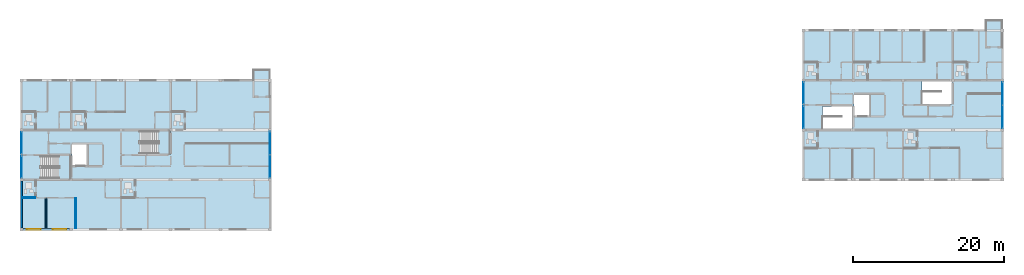
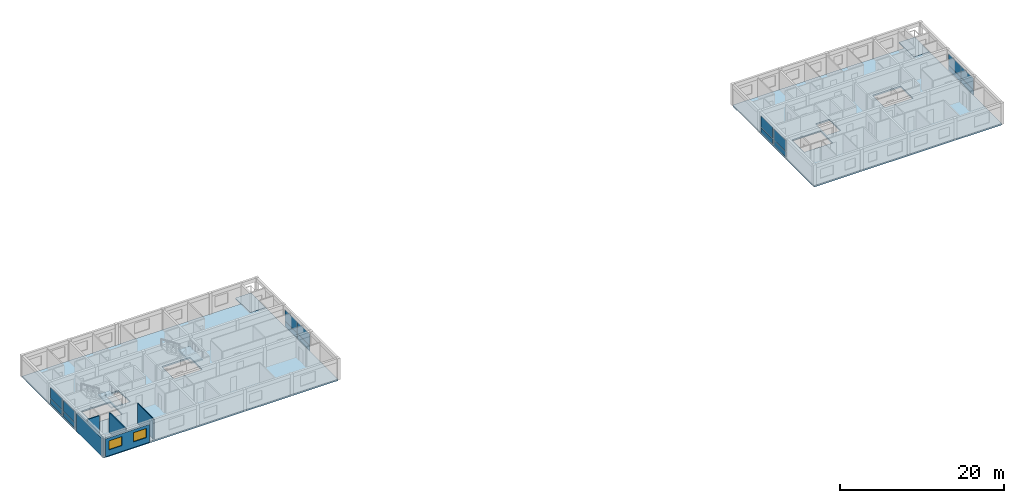
# One storey, part 12 of 23: 16 plates, 6 slabs, 5 walls, 2 windows, 2 openings, 8 elements without a shape of their own.
"""IFC4 building model written with IfcOpenShell, lengths in metres."""

from ifc_helpers import new_model, si_unit, direction, frame, frame_2d, origin, origin_2d, place, context, subcontext, project, spatial, polyline, rectangle, outline, extrude, material, layer, layer_set, type_object, element, fill, aggregate, save


model = new_model("IFC4")

# Units and contexts
model_context = context("Model", 3, precision=1e-05, world=origin(), true_north=direction((0.0, 1.0)))
body_context = subcontext(model_context, "Body", "Model", "MODEL_VIEW")
ifc_project = project(units=[si_unit("LENGTHUNIT", "METRE"), si_unit("AREAUNIT", "SQUARE_METRE"), si_unit("VOLUMEUNIT", "CUBIC_METRE"), si_unit("PLANEANGLEUNIT", "RADIAN"), si_unit("MASSUNIT", "GRAM", prefix="KILO")], contexts=[model_context])

# Site, building, storey
site_placement = place(None, origin())
site = spatial("IfcSite", under=ifc_project, at=site_placement, CompositionType="ELEMENT")
building_placement = place(site_placement, origin())
building = spatial("IfcBuilding", under=site, at=building_placement, Name="Kernevlak Ridge Housing Community", CompositionType="ELEMENT")
storey_placement = place(building_placement, frame((0.0, 0.0, 46.800048828125)))
storey = spatial("IfcBuildingStorey", under=building, at=storey_placement, Name="L14", CompositionType="ELEMENT", Elevation=46.800048828125)

# Curtain wall, plate
ifc_material_1 = material(Name="Aluminium EN AW-6060 anodised and laminated glass", Category="aluminium")
curtain_wall_type_1 = type_object("IfcCurtainWallType", Name="CW-01", PredefinedType="NOTDEFINED", material=ifc_material_1)
curtain_wall_1_placement = place(storey_placement, origin())
curtain_wall_1 = element("IfcCurtainWall", 1, at=curtain_wall_1_placement, inside=storey, type_object=curtain_wall_type_1, Name="Curtain wall CW-01 CW-L14-043", PredefinedType="NOTDEFINED")
ifc_material_2 = material(Name="Aluminium EN AW-5005 enamelled panel", Category="aluminium")
ifc_layer_1 = layer(ifc_material_2, 0.033935546875, Name="Aluminium EN AW-5005 enamelled panel")
ifc_layer_set_1 = layer_set([ifc_layer_1], Name="Aluminium EN AW-5005 enamelled panel")
plate_type_1 = type_object("IfcPlateType", Name="CP-03", PredefinedType="CURTAIN_PANEL", material=ifc_layer_set_1)
plate_1_placement = place(storey_placement, frame((15.60009765625, 84.294921875, 0.06005859375), z_axis=(0.0, 0.0, 1.0), x_axis=(0.0, 1.0, 0.0)))
plate_1 = element("IfcPlate", 2, at=plate_1_placement, type_object=plate_type_1, Name="CW-01 panel 1.1", PredefinedType="CURTAIN_PANEL", context=body_context, shape_type="SweptSolid", body=[
    extrude(rectangle(XDim=2.8701171875, YDim=0.033935546875, at=origin_2d()), origin(), (0.0, 0.0, 1.0), 0.760009765625),
])

curtain_wall_type_2 = type_object("IfcCurtainWallType", Name="CW-06", PredefinedType="NOTDEFINED", material=ifc_material_1)
curtain_wall_2_placement = place(storey_placement, origin())
curtain_wall_2 = element("IfcCurtainWall", 3, at=curtain_wall_2_placement, inside=storey, type_object=curtain_wall_type_2, Name="Curtain wall CW-06 CW-L14-044", PredefinedType="NOTDEFINED")
ifc_layer_2 = layer(ifc_material_2, 0.0380859375, Name="Aluminium EN AW-5005 enamelled panel")
ifc_layer_set_2 = layer_set([ifc_layer_2], Name="Aluminium EN AW-5005 enamelled panel")
plate_type_2 = type_object("IfcPlateType", Name="CP-04", PredefinedType="CURTAIN_PANEL", material=ifc_layer_set_2)
plate_2_placement = place(storey_placement, frame((15.60009765625, 87.5048828125, 0.06494140625), z_axis=(0.0, 0.0, 1.0), x_axis=(0.0, 1.0, 0.0)))
plate_2 = element("IfcPlate", 4, at=plate_2_placement, type_object=plate_type_2, Name="CW-06 panel 1.1", PredefinedType="CURTAIN_PANEL", context=body_context, shape_type="SweptSolid", body=[
    extrude(rectangle(XDim=2.860107421875, YDim=0.0380859375, at=origin_2d()), origin(), (0.0, 0.0, 1.0), 0.75244140625),
])

curtain_wall_type_3 = type_object("IfcCurtainWallType", Name="CW-04", PredefinedType="NOTDEFINED", material=ifc_material_1)
curtain_wall_3_placement = place(storey_placement, origin())
curtain_wall_3 = element("IfcCurtainWall", 5, at=curtain_wall_3_placement, inside=storey, type_object=curtain_wall_type_3, Name="Curtain wall CW-04 CW-L14-097", PredefinedType="NOTDEFINED")
plate_3_placement = place(storey_placement, frame((119.39990234375, 90.89501953125, 0.06005859375), z_axis=(0.0, 0.0, 1.0), x_axis=(0.0, 1.0, 0.0)))
plate_3 = element("IfcPlate", 6, at=plate_3_placement, type_object=plate_type_2, Name="CW-04 panel 1.1", PredefinedType="CURTAIN_PANEL", context=body_context, shape_type="SweptSolid", body=[
    extrude(rectangle(XDim=2.8701171875, YDim=0.0380859375, at=origin_2d()), origin(), (0.0, 0.0, 1.0), 0.760009765625),
])

# Curtain wall, plates
curtain_wall_type_4 = type_object("IfcCurtainWallType", Name="CW-12", PredefinedType="NOTDEFINED", material=ifc_material_1)
curtain_wall_4_placement = place(storey_placement, origin())
curtain_wall_4 = element("IfcCurtainWall", 7, at=curtain_wall_4_placement, inside=storey, type_object=curtain_wall_type_4, Name="Curtain wall CW-12 CW-L14-045", PredefinedType="NOTDEFINED")
ifc_layer_3 = layer(ifc_material_2, 0.0419921875, Name="Aluminium EN AW-5005 enamelled panel")
ifc_layer_set_3 = layer_set([ifc_layer_3], Name="Aluminium EN AW-5005 enamelled panel")
plate_type_3 = type_object("IfcPlateType", Name="CP-05", PredefinedType="CURTAIN_PANEL", material=ifc_layer_set_3)
plate_4_placement = place(storey_placement, frame((48.60009765625, 84.36376953125, 0.054931640625), z_axis=(0.0, 0.0, 1.0), x_axis=(0.0, 1.0, 0.0)))
plate_4 = element("IfcPlate", 8, at=plate_4_placement, type_object=plate_type_3, Name="CW-12 panel 1.1", PredefinedType="CURTAIN_PANEL", context=body_context, shape_type="SweptSolid", body=[
    extrude(rectangle(XDim=3.017578125, YDim=0.0419921875, at=origin_2d()), origin(), (0.0, 0.0, 1.0), 0.767578125),
])
plate_5_placement = place(storey_placement, frame((48.60009765625, 87.436279296875, 0.054931640625), z_axis=(0.0, 0.0, 1.0), x_axis=(0.0, 1.0, 0.0)))
plate_5 = element("IfcPlate", 9, at=plate_5_placement, type_object=plate_type_3, Name="CW-12 panel 2.1", PredefinedType="CURTAIN_PANEL", context=body_context, shape_type="SweptSolid", body=[
    extrude(rectangle(XDim=3.017578125, YDim=0.0419921875, at=origin_2d()), origin(), (0.0, 0.0, 1.0), 0.767578125),
])

# Curtain wall, plate
curtain_wall_type_5 = type_object("IfcCurtainWallType", Name="CW-09", PredefinedType="NOTDEFINED", material=ifc_material_1)
curtain_wall_5_placement = place(storey_placement, origin())
curtain_wall_5 = element("IfcCurtainWall", 10, at=curtain_wall_5_placement, inside=storey, type_object=curtain_wall_type_5, Name="Curtain wall CW-09 CW-L14-098", PredefinedType="NOTDEFINED")
plate_6_placement = place(storey_placement, frame((119.39990234375, 94.10498046875, 0.06494140625), z_axis=(0.0, 0.0, 1.0), x_axis=(0.0, 1.0, 0.0)))
plate_6 = element("IfcPlate", 11, at=plate_6_placement, type_object=plate_type_3, Name="CW-09 panel 1.1", PredefinedType="CURTAIN_PANEL", context=body_context, shape_type="SweptSolid", body=[
    extrude(rectangle(XDim=2.860107421875, YDim=0.0419921875, at=origin_2d()), origin(), (0.0, 0.0, 1.0), 0.75244140625),
])

# Curtain wall, plates
curtain_wall_type_6 = type_object("IfcCurtainWallType", Name="CW-14", PredefinedType="NOTDEFINED", material=ifc_material_1)
curtain_wall_6_placement = place(storey_placement, origin())
curtain_wall_6 = element("IfcCurtainWall", 12, at=curtain_wall_6_placement, inside=storey, type_object=curtain_wall_type_6, Name="Curtain wall CW-14 CW-L14-099", PredefinedType="NOTDEFINED")
ifc_material_3 = material(Name="Aluminium EN AW-5005 insulated panel", Category="aluminium")
ifc_layer_4 = layer(ifc_material_3, 0.0458984375, Name="Aluminium EN AW-5005 insulated panel")
ifc_layer_set_4 = layer_set([ifc_layer_4], Name="Aluminium EN AW-5005 insulated panel")
plate_type_4 = type_object("IfcPlateType", Name="CP-06", PredefinedType="CURTAIN_PANEL", material=ifc_layer_set_4)
plate_7_placement = place(storey_placement, frame((145.800048828125, 90.9638671875, 0.054931640625), z_axis=(0.0, 0.0, 1.0), x_axis=(0.0, 1.0, 0.0)))
plate_7 = element("IfcPlate", 13, at=plate_7_placement, type_object=plate_type_4, Name="CW-14 panel 1.1", PredefinedType="CURTAIN_PANEL", context=body_context, shape_type="SweptSolid", body=[
    extrude(rectangle(XDim=3.017578125, YDim=0.0458984375, at=origin_2d()), origin(), (0.0, 0.0, 1.0), 0.767578125),
])
plate_8_placement = place(storey_placement, frame((145.800048828125, 94.0361328125, 0.054931640625), z_axis=(0.0, 0.0, 1.0), x_axis=(0.0, 1.0, 0.0)))
plate_8 = element("IfcPlate", 14, at=plate_8_placement, type_object=plate_type_4, Name="CW-14 panel 2.1", PredefinedType="CURTAIN_PANEL", context=body_context, shape_type="SweptSolid", body=[
    extrude(rectangle(XDim=3.017578125, YDim=0.0458984375, at=origin_2d()), origin(), (0.0, 0.0, 1.0), 0.767578125),
])

# Plate
ifc_material_4 = material(Name="Low-iron clear staircase glazing panel", Category="glass")
ifc_layer_5 = layer(ifc_material_4, 0.031982421875, Name="Low-iron clear staircase glazing panel")
ifc_layer_set_5 = layer_set([ifc_layer_5], Name="Low-iron clear staircase glazing panel")
plate_type_5 = type_object("IfcPlateType", Name="CP-08", PredefinedType="CURTAIN_PANEL", material=ifc_layer_set_5)
plate_9_placement = place(storey_placement, frame((15.60009765625, 84.294921875, 0.8798828125), z_axis=(0.0, 0.0, 1.0), x_axis=(0.0, 1.0, 0.0)))
plate_9 = element("IfcPlate", 15, at=plate_9_placement, type_object=plate_type_5, Name="CW-01 panel 1.2", PredefinedType="CURTAIN_PANEL", context=body_context, shape_type="SweptSolid", body=[
    extrude(rectangle(XDim=2.8701171875, YDim=0.031982421875, at=origin_2d()), origin(), (0.0, 0.0, 1.0), 1.659912109375),
])

aggregate(curtain_wall_1, [plate_1, plate_9])

plate_10_placement = place(storey_placement, frame((15.60009765625, 87.5048828125, 0.88232421875), z_axis=(0.0, 0.0, 1.0), x_axis=(0.0, 1.0, 0.0)))
plate_10 = element("IfcPlate", 16, at=plate_10_placement, type_object=plate_type_5, Name="CW-06 panel 1.2", PredefinedType="CURTAIN_PANEL", context=body_context, shape_type="SweptSolid", body=[
    extrude(rectangle(XDim=2.860107421875, YDim=0.031982421875, at=origin_2d()), origin(), (0.0, 0.0, 1.0), 1.652587890625),
])

aggregate(curtain_wall_2, [plate_2, plate_10])

plate_11_placement = place(storey_placement, frame((48.60009765625, 84.36376953125, 0.87744140625), z_axis=(0.0, 0.0, 1.0), x_axis=(0.0, 1.0, 0.0)))
plate_11 = element("IfcPlate", 17, at=plate_11_placement, type_object=plate_type_5, Name="CW-12 panel 1.2", PredefinedType="CURTAIN_PANEL", context=body_context, shape_type="SweptSolid", body=[
    extrude(rectangle(XDim=3.017578125, YDim=0.031982421875, at=origin_2d()), origin(), (0.0, 0.0, 1.0), 1.66748046875),
])

plate_12_placement = place(storey_placement, frame((48.60009765625, 87.436279296875, 0.87744140625), z_axis=(0.0, 0.0, 1.0), x_axis=(0.0, 1.0, 0.0)))
plate_12 = element("IfcPlate", 18, at=plate_12_placement, type_object=plate_type_5, Name="CW-12 panel 2.2", PredefinedType="CURTAIN_PANEL", context=body_context, shape_type="SweptSolid", body=[
    extrude(rectangle(XDim=3.017578125, YDim=0.031982421875, at=origin_2d()), origin(), (0.0, 0.0, 1.0), 1.66748046875),
])

aggregate(curtain_wall_4, [plate_4, plate_11, plate_5, plate_12])

plate_13_placement = place(storey_placement, frame((119.39990234375, 90.89501953125, 0.8798828125), z_axis=(0.0, 0.0, 1.0), x_axis=(0.0, 1.0, 0.0)))
plate_13 = element("IfcPlate", 19, at=plate_13_placement, type_object=plate_type_5, Name="CW-04 panel 1.2", PredefinedType="CURTAIN_PANEL", context=body_context, shape_type="SweptSolid", body=[
    extrude(rectangle(XDim=2.8701171875, YDim=0.031982421875, at=origin_2d()), origin(), (0.0, 0.0, 1.0), 1.659912109375),
])

aggregate(curtain_wall_3, [plate_3, plate_13])

plate_14_placement = place(storey_placement, frame((119.39990234375, 94.10498046875, 0.88232421875), z_axis=(0.0, 0.0, 1.0), x_axis=(0.0, 1.0, 0.0)))
plate_14 = element("IfcPlate", 20, at=plate_14_placement, type_object=plate_type_5, Name="CW-09 panel 1.2", PredefinedType="CURTAIN_PANEL", context=body_context, shape_type="SweptSolid", body=[
    extrude(rectangle(XDim=2.860107421875, YDim=0.031982421875, at=origin_2d()), origin(), (0.0, 0.0, 1.0), 1.652587890625),
])

aggregate(curtain_wall_5, [plate_6, plate_14])

plate_15_placement = place(storey_placement, frame((145.800048828125, 90.9638671875, 0.87744140625), z_axis=(0.0, 0.0, 1.0), x_axis=(0.0, 1.0, 0.0)))
plate_15 = element("IfcPlate", 21, at=plate_15_placement, type_object=plate_type_5, Name="CW-14 panel 1.2", PredefinedType="CURTAIN_PANEL", context=body_context, shape_type="SweptSolid", body=[
    extrude(rectangle(XDim=3.017578125, YDim=0.031982421875, at=origin_2d()), origin(), (0.0, 0.0, 1.0), 1.66748046875),
])

plate_16_placement = place(storey_placement, frame((145.800048828125, 94.0361328125, 0.87744140625), z_axis=(0.0, 0.0, 1.0), x_axis=(0.0, 1.0, 0.0)))
plate_16 = element("IfcPlate", 22, at=plate_16_placement, type_object=plate_type_5, Name="CW-14 panel 2.2", PredefinedType="CURTAIN_PANEL", context=body_context, shape_type="SweptSolid", body=[
    extrude(rectangle(XDim=3.017578125, YDim=0.031982421875, at=origin_2d()), origin(), (0.0, 0.0, 1.0), 1.66748046875),
])

aggregate(curtain_wall_6, [plate_7, plate_15, plate_8, plate_16])

# Slabs
ifc_material_5 = material(Name="Concrete C35/45", Category="concrete")
ifc_layer_6 = layer(ifc_material_5, 0.219970703125, Name="Concrete C35/45")
ifc_layer_set_6 = layer_set([ifc_layer_6], Name="Concrete C35/45")
slab_type_1 = type_object("IfcSlabType", Name="SL-04", PredefinedType="FLOOR", material=ifc_layer_set_6)
slab_1_placement = place(storey_placement, frame((0.0, 0.0, -0.219970703125)))
element("IfcSlab", 23, at=slab_1_placement, inside=storey, type_object=slab_type_1, Name="Block A level L14 floor slab", PredefinedType="FLOOR", context=body_context, shape_type="SweptSolid", body=[
    extrude(outline(polyline([(15.60009765625, 76.0), (48.60009765625, 76.0), (48.60009765625, 93.60009765625), (46.39990234375, 93.60009765625), (46.39990234375, 95.800048828125), (15.60009765625, 95.800048828125), (15.60009765625, 76.0)]), holes=[polyline([(18.139892578125, 85.75), (22.1201171875, 85.75), (22.1201171875, 82.75), (18.139892578125, 82.75), (18.139892578125, 85.75)]), polyline([(31.340087890625, 89.050048828125), (35.320068359375, 89.050048828125), (35.320068359375, 86.050048828125), (31.340087890625, 86.050048828125), (31.340087890625, 89.050048828125)]), polyline([(22.320068359375, 87.280029296875), (24.280029296875, 87.280029296875), (24.280029296875, 84.52001953125), (22.320068359375, 84.52001953125), (22.320068359375, 87.280029296875)])]), origin(), (0.0, 0.0, 1.0), 0.219970703125),
])
slab_2_placement = place(storey_placement, frame((0.0, 0.0, -0.219970703125)))
element("IfcSlab", 24, at=slab_2_placement, inside=storey, type_object=slab_type_1, Name="Block B level L14 floor slab", PredefinedType="FLOOR", context=body_context, shape_type="SweptSolid", body=[
    extrude(outline(polyline([(119.39990234375, 82.60009765625), (145.800048828125, 82.60009765625), (145.800048828125, 100.199951171875), (143.60009765625, 100.199951171875), (143.60009765625, 102.39990234375), (119.39990234375, 102.39990234375), (119.39990234375, 82.60009765625)]), holes=[polyline([(121.93994140625, 92.35009765625), (125.919921875, 92.35009765625), (125.919921875, 89.35009765625), (121.93994140625, 89.35009765625), (121.93994140625, 92.35009765625)]), polyline([(135.139892578125, 95.64990234375), (139.1201171875, 95.64990234375), (139.1201171875, 92.64990234375), (135.139892578125, 92.64990234375), (135.139892578125, 95.64990234375)]), polyline([(126.1201171875, 93.8798828125), (128.080078125, 93.8798828125), (128.080078125, 91.1201171875), (126.1201171875, 91.1201171875), (126.1201171875, 93.8798828125)])]), origin(), (0.0, 0.0, 1.0), 0.219970703125),
])
ifc_layer_7 = layer(ifc_material_5, 0.199951171875, Name="Concrete C35/45")
ifc_layer_set_7 = layer_set([ifc_layer_7], Name="Concrete C35/45")
slab_type_2 = type_object("IfcSlabType", Name="SL-05", PredefinedType="FLOOR", material=ifc_layer_set_7)
slab_3_placement = place(storey_placement, frame((0.0, 0.0, -0.199951171875)))
element("IfcSlab", 25, at=slab_3_placement, inside=storey, type_object=slab_type_2, Name="Block A L14 corner balcony deck slab", PredefinedType="FLOOR", context=body_context, shape_type="SweptSolid", body=[
    extrude(outline(polyline([(46.39990234375, 93.60009765625), (48.60009765625, 93.60009765625), (48.60009765625, 97.199951171875), (46.39990234375, 97.199951171875), (46.39990234375, 93.60009765625)])), origin(), (0.0, 0.0, 1.0), 0.199951171875),
])
slab_4_placement = place(storey_placement, frame((0.0, 0.0, -0.199951171875)))
element("IfcSlab", 26, at=slab_4_placement, inside=storey, type_object=slab_type_2, Name="Block B L14 corner balcony deck slab", PredefinedType="FLOOR", context=body_context, shape_type="SweptSolid", body=[
    extrude(outline(polyline([(143.60009765625, 100.199951171875), (145.800048828125, 100.199951171875), (145.800048828125, 103.800048828125), (143.60009765625, 103.800048828125), (143.60009765625, 100.199951171875)])), origin(), (0.0, 0.0, 1.0), 0.199951171875),
])

# Stair, slab
stair_type = type_object("IfcStairType", Name="SR-06", PredefinedType="HALF_TURN_STAIR", material=ifc_material_5)
stair_1_placement = place(storey_placement, origin())
stair_1 = element("IfcStair", 27, at=stair_1_placement, inside=storey, type_object=stair_type, Name="Stair ST-A1 L14", PredefinedType="HALF_TURN_STAIR")
ifc_layer_8 = layer(ifc_material_5, 0.18994140625, Name="Concrete C35/45")
ifc_layer_set_8 = layer_set([ifc_layer_8], Name="Concrete C35/45")
slab_type_3 = type_object("IfcSlabType", Name="SL-13", PredefinedType="LANDING", material=ifc_layer_set_8)
slab_5_placement = place(storey_placement, frame((0.0, 0.0, 1.409912109375)))
slab_5 = element("IfcSlab", 28, at=slab_5_placement, type_object=slab_type_3, Name="SR-06 landing 1", PredefinedType="LANDING", context=body_context, shape_type="SweptSolid", body=[
    extrude(outline(polyline([(20.5400390625, 82.64990234375), (22.14990234375, 82.64990234375), (22.14990234375, 85.85009765625), (20.5400390625, 85.85009765625), (20.5400390625, 82.64990234375)])), origin(), (0.0, 0.0, 1.0), 0.18994140625),
])
aggregate(stair_1, [slab_5])

stair_2_placement = place(storey_placement, origin())
stair_2 = element("IfcStair", 29, at=stair_2_placement, inside=storey, type_object=stair_type, Name="Stair ST-A2 L14", PredefinedType="HALF_TURN_STAIR")
slab_6_placement = place(storey_placement, frame((0.0, 0.0, 1.409912109375)))
slab_6 = element("IfcSlab", 30, at=slab_6_placement, type_object=slab_type_3, Name="SR-06 landing 1", PredefinedType="LANDING", context=body_context, shape_type="SweptSolid", body=[
    extrude(outline(polyline([(33.739990234375, 85.949951171875), (35.35009765625, 85.949951171875), (35.35009765625, 89.14990234375), (33.739990234375, 89.14990234375), (33.739990234375, 85.949951171875)])), origin(), (0.0, 0.0, 1.0), 0.18994140625),
])
aggregate(stair_2, [slab_6])

# Wall, openings, windows
ifc_material_6 = material(Name="Concrete block masonry M10", Category="masonry")
ifc_layer_9 = layer(ifc_material_6, 0.239990234375, Name="Concrete block masonry M10")
ifc_layer_set_9 = layer_set([ifc_layer_9], Name="Concrete block masonry M10")
wall_type_1 = type_object("IfcWallType", Name="EW-06", PredefinedType="STANDARD", material=ifc_layer_set_9)
wall_1_placement = place(storey_placement, frame((15.800048828125, 76.0, 0.0), z_axis=(0.0, 0.0, 1.0), x_axis=(1.0, 0.0, 0.0)))
wall_1 = element("IfcWall", 31, at=wall_1_placement, inside=storey, type_object=wall_type_1, Name="Exterior wall EW-06 L14 221", PredefinedType="STANDARD", context=body_context, shape_type="SweptSolid", body=[
    extrude(rectangle(XDim=6.199951171875, YDim=0.239990234375, at=frame_2d((3.10009765625, 0.0))), origin(), (0.0, 0.0, 1.0), 2.64990234375),
])
opening_1_placement = place(wall_1_placement, frame((0.52490234375, 0.0, 0.85009765625)))
opening_1 = element("IfcOpeningElement", 32, at=opening_1_placement, cuts=wall_1, Name="Opening WT-03", PredefinedType="OPENING", context=body_context, shape_type="SweptSolid", body=[
    extrude(rectangle(XDim=1.800048828125, YDim=1.35009765625, at=frame_2d((0.89990234375, 0.675048828125))), frame((0.0, 0.1298828125, 0.0), z_axis=(0.0, -1.0, 0.0), x_axis=(1.0, 0.0, 0.0)), (0.0, 0.0, 1.0), 0.260009765625),
])
opening_2_placement = place(wall_1_placement, frame((3.949951171875, 0.0, 0.85009765625)))
opening_2 = element("IfcOpeningElement", 33, at=opening_2_placement, cuts=wall_1, Name="Opening WT-03", PredefinedType="OPENING", context=body_context, shape_type="SweptSolid", body=[
    extrude(rectangle(XDim=1.800048828125, YDim=1.35009765625, at=frame_2d((0.89990234375, 0.675048828125))), frame((0.0, 0.1298828125, 0.0), z_axis=(0.0, -1.0, 0.0), x_axis=(1.0, 0.0, 0.0)), (0.0, 0.0, 1.0), 0.260009765625),
])
window_type = type_object("IfcWindowType", Name="WT-03", PartitioningType="SINGLE_PANEL", PredefinedType="WINDOW", material=ifc_material_1)
window_1_placement = place(opening_1_placement, origin())
window_1 = element("IfcWindow", 34, at=window_1_placement, inside=storey, type_object=window_type, Name="Window WT-03 L14 174", OverallHeight=1.35009765625, OverallWidth=1.800048828125, PartitioningType="SINGLE_PANEL", PredefinedType="WINDOW", context=body_context, shape_type="SweptSolid", body=[
    extrude(rectangle(XDim=1.800048828125, YDim=1.35009765625, at=frame_2d((0.89990234375, 0.675048828125))), frame((0.0, 0.030029296875, 0.0), z_axis=(0.0, -1.0, 0.0), x_axis=(1.0, 0.0, 0.0)), (0.0, 0.0, 1.0), 0.06005859375),
])
fill(opening_1, window_1)
window_2_placement = place(opening_2_placement, origin())
window_2 = element("IfcWindow", 35, at=window_2_placement, inside=storey, type_object=window_type, Name="Window WT-03 L14 175", OverallHeight=1.35009765625, OverallWidth=1.800048828125, PartitioningType="SINGLE_PANEL", PredefinedType="WINDOW", context=body_context, shape_type="SweptSolid", body=[
    extrude(rectangle(XDim=1.800048828125, YDim=1.35009765625, at=frame_2d((0.89990234375, 0.675048828125))), frame((0.0, 0.030029296875, 0.0), z_axis=(0.0, -1.0, 0.0), x_axis=(1.0, 0.0, 0.0)), (0.0, 0.0, 1.0), 0.06005859375),
])
fill(opening_2, window_2)

# Walls
wall_2_placement = place(storey_placement, frame((15.60009765625, 76.199951171875, 0.0), z_axis=(0.0, 0.0, 1.0), x_axis=(0.0, 1.0, 0.0)))
element("IfcWall", 36, at=wall_2_placement, inside=storey, type_object=wall_type_1, Name="Exterior wall EW-06 L14 233", PredefinedType="STANDARD", context=body_context, shape_type="SweptSolid", body=[
    extrude(rectangle(XDim=6.199951171875, YDim=0.239990234375, at=frame_2d((3.10009765625, 0.0))), origin(), (0.0, 0.0, 1.0), 2.64990234375),
])
ifc_layer_10 = layer(ifc_material_6, 0.14501953125, Name="Concrete block masonry M10")
ifc_layer_set_10 = layer_set([ifc_layer_10], Name="Concrete block masonry M10")
wall_type_2 = type_object("IfcWallType", Name="PW-03", PredefinedType="PARTITIONING", material=ifc_layer_set_10)
wall_3_placement = place(storey_placement, frame((18.85009765625, 80.117431640625, 0.0), z_axis=(0.0, 0.0, 1.0), x_axis=(0.0, -1.0, 0.0)))
element("IfcWall", 37, at=wall_3_placement, inside=storey, type_object=wall_type_2, Name="Interior wall PW-03 WAL-INT-L14-0909", PredefinedType="PARTITIONING", context=body_context, shape_type="SweptSolid", body=[
    extrude(rectangle(XDim=3.987548828125, YDim=0.14501953125, at=frame_2d((1.99365234375, 0.0))), origin(), (0.0, 0.0, 1.0), 2.97998046875),
])
ifc_material_7 = material(Name="Gypsum plasterboard EN 520", Category="gypsum")
ifc_layer_11 = layer(ifc_material_7, 0.125, Name="Gypsum plasterboard EN 520")
ifc_layer_set_11 = layer_set([ifc_layer_11], Name="Gypsum plasterboard EN 520")
wall_type_3 = type_object("IfcWallType", Name="PW-04", PredefinedType="PARTITIONING", material=ifc_layer_set_11)
wall_4_placement = place(storey_placement, frame((15.72998046875, 80.199951171875, 0.0), z_axis=(0.0, 0.0, 1.0), x_axis=(1.0, 0.0, 0.0)))
element("IfcWall", 38, at=wall_4_placement, inside=storey, type_object=wall_type_3, Name="Interior wall PW-04 WAL-INT-L14-0905", PredefinedType="PARTITIONING", context=body_context, shape_type="SweptSolid", body=[
    extrude(rectangle(XDim=1.68994140625, YDim=0.125, at=frame_2d((0.844970703125, 0.0))), origin(), (0.0, 0.0, 1.0), 2.97998046875),
])
ifc_layer_12 = layer(ifc_material_7, 0.10498046875, Name="Gypsum plasterboard EN 520")
ifc_layer_set_12 = layer_set([ifc_layer_12], Name="Gypsum plasterboard EN 520")
wall_type_4 = type_object("IfcWallType", Name="PW-06", PredefinedType="PARTITIONING", material=ifc_layer_set_12)
wall_5_placement = place(storey_placement, frame((22.7919921875, 80.117431640625, 0.0), z_axis=(0.0, 0.0, 1.0), x_axis=(0.0, -1.0, 0.0)))
element("IfcWall", 39, at=wall_5_placement, inside=storey, type_object=wall_type_4, Name="Interior wall PW-06 WAL-INT-L14-0911", PredefinedType="PARTITIONING", context=body_context, shape_type="SweptSolid", body=[
    extrude(rectangle(XDim=3.987548828125, YDim=0.10498046875, at=frame_2d((1.99365234375, 0.0))), origin(), (0.0, 0.0, 1.0), 2.97998046875),
])

save(model, "model.ifc")
